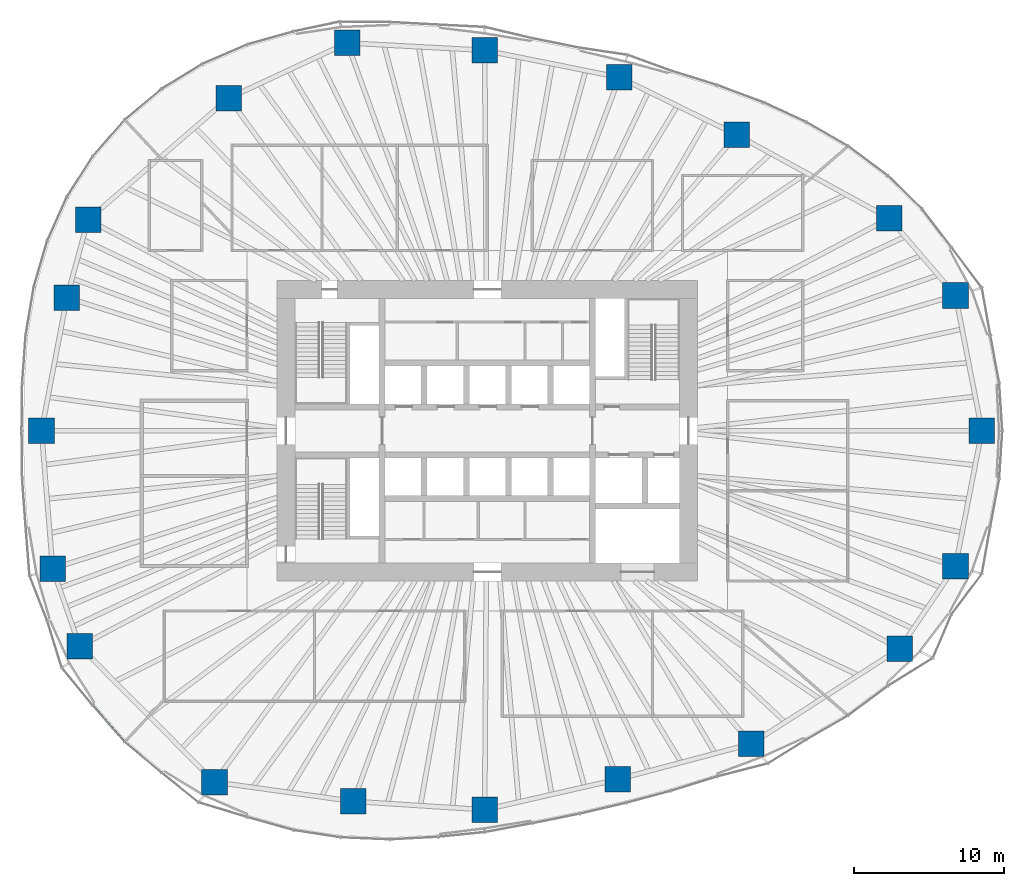
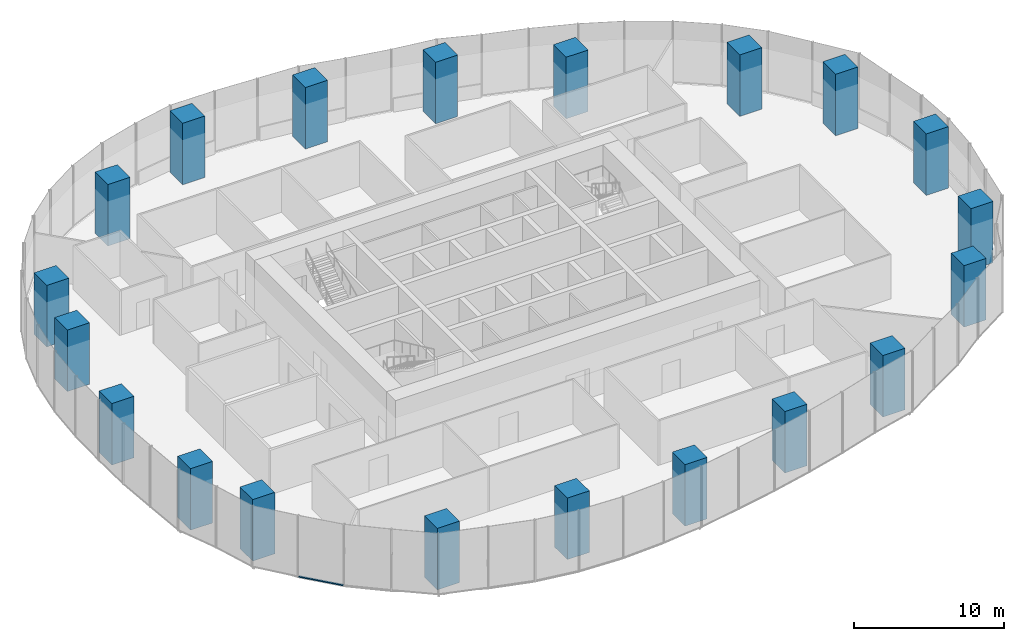
# One storey, part 1 of 20: 20 columns, 1 member, 1 element without a shape of its own.
"""IFC4 building model written with IfcOpenShell, lengths in metres."""

from ifc_helpers import new_model, si_unit, direction, frame, origin, origin_2d, place, context, subcontext, project, spatial, rectangle, extrude, material, material_profile, profile_set, type_object, element, aggregate, save


model = new_model("IFC4")

# Units and contexts
model_context = context("Model", 3, precision=1e-05, world=origin(), true_north=direction((0.0, 1.0)))
body_context = subcontext(model_context, "Body", "Model", "MODEL_VIEW")
ifc_project = project(units=[si_unit("LENGTHUNIT", "METRE"), si_unit("AREAUNIT", "SQUARE_METRE"), si_unit("VOLUMEUNIT", "CUBIC_METRE"), si_unit("PLANEANGLEUNIT", "RADIAN"), si_unit("MASSUNIT", "GRAM", prefix="KILO")], contexts=[model_context])

# Site, building, storey
site_placement = place(None, origin())
site = spatial("IfcSite", under=ifc_project, at=site_placement, CompositionType="ELEMENT")
building_placement = place(site_placement, origin())
building = spatial("IfcBuilding", under=site, at=building_placement, Name="Ghaith Harvest Tower", CompositionType="ELEMENT")
storey_placement = place(building_placement, frame((0.0, 0.0, 85.0)))
storey = spatial("IfcBuildingStorey", under=building, at=storey_placement, Name="L17", CompositionType="ELEMENT", Elevation=85.0)

# Columns
ifc_material_1 = material(Name="Concrete C70/85", Category="concrete")
ifc_material_profile_1 = material_profile(ifc_material_1, rectangle(XDim=1.699951171875, YDim=1.699951171875, at=origin_2d()), Name="RC1700X1700")
ifc_profile_set_1 = profile_set([ifc_material_profile_1], Name="Concrete C70/85")
column_type = type_object("IfcColumnType", Name="TC2 RC1700X1700", PredefinedType="COLUMN", material=ifc_profile_set_1)
for number, where, z_axis, x_axis, name in (
    (1, (32.925048828125, 0.0, 0.0), (0.0, 0.0, 1.0), (1.0, 0.0, 0.0), "Perimeter column C01"),
    (2, (31.166015625, 9.008056640625, 0.0), (0.0, 0.0, 1.0), (1.0, 0.0, 0.0), "Perimeter column C02"),
    (3, (26.763916015625, 14.14697265625, 0.0), (0.0, 0.0, 1.0), (1.0, 0.0, 0.0), "Perimeter column C03"),
    (4, (16.60791015625, 19.695068359375, 0.0), (0.0, 0.0, 1.0), (1.0, 0.0, 0.0), "Perimeter column C04"),
    (5, (8.794921875, 23.527099609375, 0.0), (0.0, 0.0, 1.0), (1.0, 0.0, 0.0), "Perimeter column C05"),
    (6, (-0.173095703125, 25.326904296875, 0.0), (0.0, 0.0, 1.0), (1.0, 0.0, 0.0), "Perimeter column C06"),
    (7, (-9.325927734375, 25.821044921875, 0.0), (0.0, 0.0, 1.0), (1.0, 0.0, 0.0), "Perimeter column C07"),
    (8, (-17.201904296875, 22.14990234375, 0.0), (0.0, 0.0, 1.0), (1.0, 0.0, 0.0), "Perimeter column C08"),
    (9, (-26.572998046875, 14.0458984375, 0.0), (0.0, 0.0, 1.0), (1.0, 0.0, 0.0), "Perimeter column C09"),
    (10, (-27.98291015625, 8.867919921875, 0.0), (0.0, 0.0, 1.0), (1.0, 0.0, 0.0), "Perimeter column C10"),
    (11, (-29.675048828125, 0.0, 0.0), (0.0, 0.0, 1.0), (1.0, 0.0, 0.0), "Perimeter column C11"),
    (12, (-28.929931640625, -9.16796875, 0.0), (0.0, 0.0, 1.0), (1.0, 0.0, 0.0), "Perimeter column C12"),
    (13, (-27.132080078125, -14.341064453125, 0.0), (0.0, 0.0, 1.0), (1.0, 0.0, 0.0), "Perimeter column C13"),
    (14, (-18.157958984375, -23.3798828125, 0.0), (0.0, 0.0, 1.0), (1.0, 0.0, 0.0), "Perimeter column C14"),
    (15, (-8.908935546875, -24.66796875, 0.0), (0.0, 0.0, 1.0), (1.0, 0.0, 0.0), "Perimeter column C15"),
    (16, (-0.173095703125, -25.22412109375, 0.0), (0.0, 0.0, 1.0), (1.0, 0.0, 0.0), "Perimeter column C16"),
    (17, (8.674072265625, -23.202880859375, 0.0), (0.0, 0.0, 1.0), (1.0, 0.0, 0.0), "Perimeter column C17"),
    (18, (17.572021484375, -20.8369140625, 0.0), (0.0, 0.0, 1.0), (1.0, 0.0, 0.0), "Perimeter column C18"),
    (19, (27.448974609375, -14.509033203125, 0.0), (0.0, 0.0, 1.0), (1.0, 0.0, 0.0), "Perimeter column C19"),
    (20, (31.166015625, -9.008056640625, 0.0), (0.0, 0.0, 1.0), (1.0, 0.0, 0.0), "Perimeter column C20"),
):
    element("IfcColumn", number, at=place(storey_placement, frame(where, z_axis=z_axis, x_axis=x_axis)), inside=storey, type_object=column_type, Name=name, PredefinedType="COLUMN", context=body_context, shape_type="SweptSolid", body=[
        extrude(rectangle(XDim=1.699951171875, YDim=1.699951171875, at=origin_2d()), origin(), (0.0, 0.0, 1.0), 5.0),
    ])

# Curtain wall, member
ifc_material_2 = material(Name="Black anodised aluminium and fritted glass", Category="aluminium")
curtain_wall_type = type_object("IfcCurtainWallType", Name="CW-F CURTAIN WALL", PredefinedType="NOTDEFINED", material=ifc_material_2)
curtain_wall_placement = place(storey_placement, origin())
curtain_wall = element("IfcCurtainWall", 21, at=curtain_wall_placement, inside=storey, type_object=curtain_wall_type, Name="Curtain wall CW-F bay 13 L17", PredefinedType="NOTDEFINED")
ifc_material_3 = material(Name="Aluminium, black anodised", Category="aluminium")
ifc_material_profile_2 = material_profile(ifc_material_3, rectangle(XDim=0.139892578125, YDim=0.080078125, at=origin_2d()), Name="CW-F TRANSOM 140x80")
ifc_profile_set_2 = profile_set([ifc_material_profile_2], Name="Aluminium, black anodised")
member_type = type_object("IfcMemberType", Name="CW-F TRANSOM 140x80", PredefinedType="USERDEFINED", material=ifc_profile_set_2)
member_placement = place(storey_placement, frame((-26.23681640625, -18.30419921875, 0.0400390625), z_axis=(0.65923052982, -0.751940894322, 0.0), x_axis=(0.751940894322, 0.65923052982, 0.0)))
member = element("IfcMember", 22, at=member_placement, type_object=member_type, Name="CW-F transom 1 bay 13 L17", ObjectType="TRANSOM", PredefinedType="USERDEFINED", context=body_context, shape_type="SweptSolid", body=[
    extrude(rectangle(XDim=0.139892578125, YDim=0.080078125, at=origin_2d()), origin(), (0.0, 0.0, 1.0), 3.1416015625),
])
aggregate(curtain_wall, [member])

save(model, "model.ifc")
